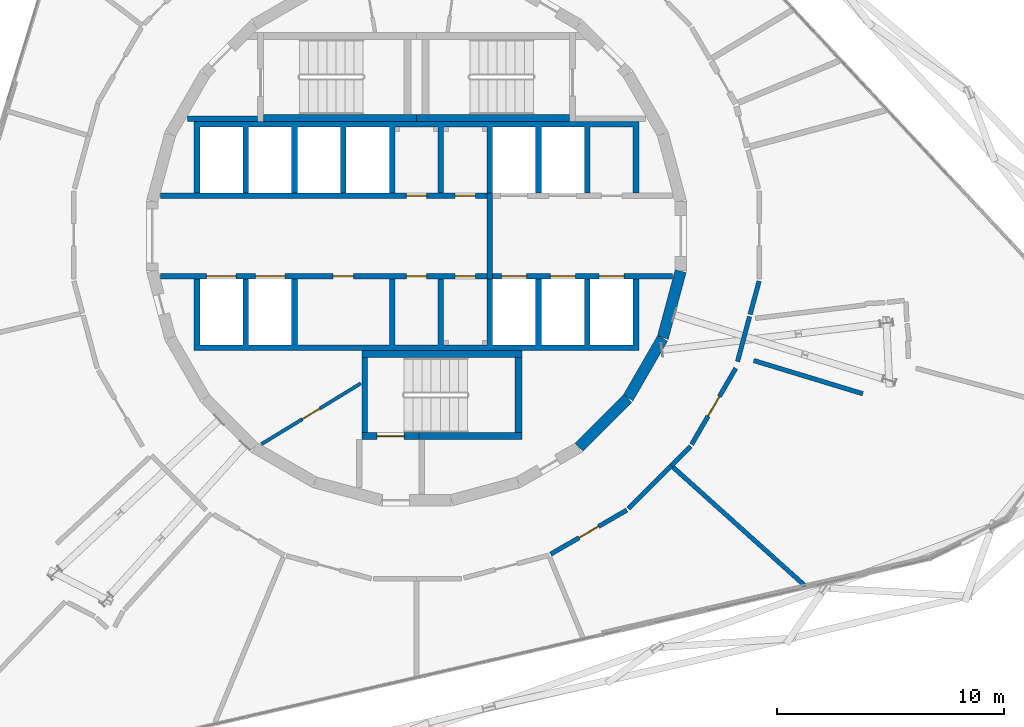
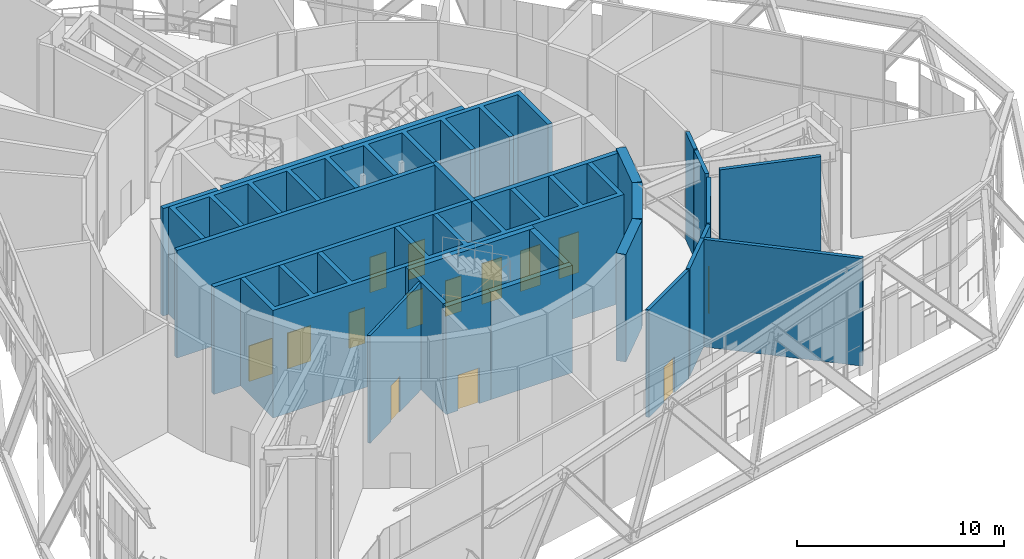
# One storey, part 20 of 25: 26 walls, 14 doors, 14 openings.
"""IFC4 building model written with IfcOpenShell, lengths in metres."""

import ifcopenshell
import ifcopenshell.guid

model = None  # the IFC model being written
_history = None  # IfcOwnerHistory: only IFC2X3 demands one
_inside = {}  # id of a spatial element -> (the spatial element, [elements in it])
_under = {}  # id of a project, library or spatial element -> (it, [spatial elements below it])
_declared = {}  # id of a project -> (the project, [libraries it declares])
_typed = {}  # id of a type object -> (the type object, [elements of that type])
_made_of = {}  # id of a material, layer set ... -> (it, [elements and type objects made of it])


def new_model(schema):
    """Start an empty IFC model of exactly this schema.

    Asked for "IFC4X3", IfcOpenShell would pick the latest addendum, in which some entities
    have other attributes; the version numbers below select the first issue.
    IFC2X3 requires an IfcOwnerHistory on every rooted entity: one is made here for all.
    """
    global model, _history
    if schema == "IFC4X3":
        model = ifcopenshell.file(schema_version=(4, 3, 0, 0))
    else:
        model = ifcopenshell.file(schema=schema)
    _inside.clear()
    _under.clear()
    _declared.clear()
    _typed.clear()
    _made_of.clear()
    _history = None
    if model.schema == "IFC2X3":
        org = make("IfcOrganization", Name="unknown")
        user = make(
            "IfcPersonAndOrganization",
            ThePerson=make("IfcPerson", FamilyName="unknown"),
            TheOrganization=org,
        )
        app = make(
            "IfcApplication",
            ApplicationDeveloper=org,
            Version="unknown",
            ApplicationFullName="unknown",
            ApplicationIdentifier="unknown",
        )
        _history = make(
            "IfcOwnerHistory",
            OwningUser=user,
            OwningApplication=app,
            ChangeAction="ADDED",
            CreationDate=0,
        )
    return model


def make(cls, **values):
    """One entity of the class cls with the attributes given. An attribute that is None is left unset."""
    return model.create_entity(
        cls, **{name: value for name, value in values.items() if value is not None}
    )


def rooted(cls, **values):
    """An entity with a GlobalId (a new one), such as an element, a storey or a relation."""
    return make(cls, GlobalId=ifcopenshell.guid.new(), OwnerHistory=_history, **values)


def si_unit(unit_type, name, prefix=None):
    """IfcSIUnit, for example si_unit("LENGTHUNIT", "METRE", prefix="MILLI")."""
    return make("IfcSIUnit", UnitType=unit_type, Prefix=prefix, Name=name)


def assignment(units):
    """IfcUnitAssignment: the units of a project."""
    return None if units is None else make("IfcUnitAssignment", Units=units)


def point(xyz):
    """IfcCartesianPoint."""
    return None if xyz is None else make("IfcCartesianPoint", Coordinates=xyz)


def direction(xyz):
    """IfcDirection."""
    return None if xyz is None else make("IfcDirection", DirectionRatios=xyz)


def frame(location, z_axis=None, x_axis=None):
    """IfcAxis2Placement3D, a coordinate frame: its origin and axes. An axis left out is left unset."""
    return make(
        "IfcAxis2Placement3D",
        Location=point(location),
        Axis=direction(z_axis),
        RefDirection=direction(x_axis),
    )


def frame_2d(location, x_axis=None):
    """IfcAxis2Placement2D, a coordinate frame in the plane: its origin and x axis."""
    return make(
        "IfcAxis2Placement2D", Location=point(location), RefDirection=direction(x_axis)
    )


def origin():
    """The frame at (0, 0, 0) with its axes left unset."""
    return frame((0.0, 0.0, 0.0))


def place(relative_to, where):
    """IfcLocalPlacement: puts the frame where relative to a parent placement (None: the world)."""
    return make(
        "IfcLocalPlacement", PlacementRelTo=relative_to, RelativePlacement=where
    )


def context(
    kind, dimensions, precision=None, world=None, true_north=None, identifier=None
):
    """IfcGeometricRepresentationContext, for example the 3D "Model" context."""
    return make(
        "IfcGeometricRepresentationContext",
        ContextIdentifier=identifier,
        ContextType=kind,
        CoordinateSpaceDimension=dimensions,
        Precision=precision,
        WorldCoordinateSystem=world,
        TrueNorth=true_north,
    )


def subcontext(parent, identifier, kind, view, scale=None):
    """IfcGeometricRepresentationSubContext, for example "Body" below "Model"."""
    return make(
        "IfcGeometricRepresentationSubContext",
        ContextIdentifier=identifier,
        ContextType=kind,
        ParentContext=parent,
        TargetScale=scale,
        TargetView=view,
    )


def project(units=None, contexts=None):
    """IfcProject with its units and contexts."""
    return rooted(
        "IfcProject",
        Name="project",
        RepresentationContexts=contexts,
        UnitsInContext=assignment(units),
    )


def spatial(cls, under=None, at=None, **own):
    """A site, building, storey or space (cls), placed at a placement, below another one or the project."""
    s = rooted(cls, ObjectPlacement=at, **own)
    if under is not None:
        _under.setdefault(under.id(), (under, []))[1].append(s)
    return s


def polyline(points):
    """IfcPolyline through the points."""
    return make("IfcPolyline", Points=[point(p) for p in points])


def profile(cls, at=None, kind="AREA", **sizes):
    """A parametric profile (cls). Its sizes go by their IFC names, for example OverallWidth=200.0."""
    return make(cls, ProfileType=kind, Position=at, **sizes)


def rectangle(**sizes):
    """IfcRectangleProfileDef."""
    return profile("IfcRectangleProfileDef", **sizes)


def outline(outer, holes=None, kind="AREA"):
    """IfcArbitraryClosedProfileDef: a profile drawn as a closed curve; with holes, ...WithVoids."""
    if holes is None:
        return make("IfcArbitraryClosedProfileDef", ProfileType=kind, OuterCurve=outer)
    return make(
        "IfcArbitraryProfileDefWithVoids",
        ProfileType=kind,
        OuterCurve=outer,
        InnerCurves=holes,
    )


def extrude(swept, where, along, depth):
    """IfcExtrudedAreaSolid: the profile swept, set in the frame where, extruded along a direction by depth."""
    return make(
        "IfcExtrudedAreaSolid",
        SweptArea=swept,
        Position=where,
        ExtrudedDirection=direction(along),
        Depth=depth,
    )


def shape(context_of_items, identifier, shape_type, items):
    """IfcShapeRepresentation: the items that make up one representation, for example the "Body"."""
    return make(
        "IfcShapeRepresentation",
        ContextOfItems=context_of_items,
        RepresentationIdentifier=identifier,
        RepresentationType=shape_type,
        Items=items,
    )


def material(Name=None, Category=None):
    """IfcMaterial."""
    return make("IfcMaterial", Name=Name, Category=Category)


def layer(
    of_material, thickness, ventilated=None, Name=None, Category=None, Priority=None
):
    """IfcMaterialLayer: one layer of a wall or slab, of a material (None: an air gap)."""
    return make(
        "IfcMaterialLayer",
        Material=of_material,
        LayerThickness=thickness,
        IsVentilated=ventilated,
        Name=Name,
        Category=Category,
        Priority=Priority,
    )


def layer_set(layers, Name=None):
    """IfcMaterialLayerSet."""
    return make("IfcMaterialLayerSet", MaterialLayers=layers, LayerSetName=Name)


def made_of(thing, what):
    """Note that an element or type object is made of a material, layer set ...; save() writes the relation."""
    if what is not None:
        _made_of.setdefault(what.id(), (what, []))[1].append(thing)
    return thing


def type_object(cls, material=None, **own):
    """A type object (cls), such as IfcWallType, which elements share."""
    return made_of(rooted(cls, **own), material)


def element(
    cls,
    number,
    at=None,
    inside=None,
    cuts=None,
    type_object=None,
    material=None,
    context=None,
    identifier="Body",
    shape_type=None,
    held_by="IfcProductDefinitionShape",
    body=None,
    shapes=None,
    **own,
):
    """One element of the class cls, such as IfcWall. Its Tag is "e" and its number.

    at: its placement. inside: the storey or other place that contains it. cuts: it is an
    opening in that element (IfcRelVoidsElement). A single representation is given by context,
    identifier, shape_type and body (its items); several are given by shapes. held_by: the class
    of the entity that holds the representations. save() writes the other relations.
    """
    e = rooted(cls, Tag="e%d" % number, ObjectPlacement=at, **own)
    if body is not None:
        shapes = [shape(context, identifier, shape_type, body)]
    if shapes is not None:
        e.Representation = make(held_by, Representations=shapes)
    if inside is not None:
        _inside.setdefault(inside.id(), (inside, []))[1].append(e)
    if cuts is not None:
        rooted(
            "IfcRelVoidsElement", RelatingBuildingElement=cuts, RelatedOpeningElement=e
        )
    if type_object is not None:
        _typed.setdefault(type_object.id(), (type_object, []))[1].append(e)
    return made_of(e, material)


def fill(opening, filler):
    """IfcRelFillsElement: the door or window that sits in an opening."""
    return rooted(
        "IfcRelFillsElement",
        RelatingOpeningElement=opening,
        RelatedBuildingElement=filler,
    )


def aggregate(whole, parts):
    """IfcRelAggregates: a whole, such as a stair, and the parts it consists of."""
    return rooted("IfcRelAggregates", RelatingObject=whole, RelatedObjects=parts)


def save(model, path):
    """Write the relations noted so far, then the file.

    IfcRelAggregates (storeys below a building ...), IfcRelContainedInSpatialStructure (elements
    in a storey), IfcRelDefinesByType, IfcRelAssociatesMaterial and IfcRelDeclares: one each for
    every whole, place, type object, material and project.
    """
    for whole, parts in _under.values():
        aggregate(whole, parts)
    for where, things in _inside.values():
        rooted(
            "IfcRelContainedInSpatialStructure",
            RelatedElements=things,
            RelatingStructure=where,
        )
    for kind, things in _typed.values():
        rooted("IfcRelDefinesByType", RelatedObjects=things, RelatingType=kind)
    for what, things in _made_of.values():
        rooted("IfcRelAssociatesMaterial", RelatedObjects=things, RelatingMaterial=what)
    for by, libraries in _declared.values():
        rooted("IfcRelDeclares", RelatingContext=by, RelatedDefinitions=libraries)
    model.write(path)


model = new_model("IFC4")

# Units and contexts
model_context = context("Model", 3, precision=1e-05, world=origin(), true_north=direction((0.0, 1.0)))
body_context = subcontext(model_context, "Body", "Model", "MODEL_VIEW")
ifc_project = project(units=[si_unit("LENGTHUNIT", "METRE"), si_unit("AREAUNIT", "SQUARE_METRE"), si_unit("VOLUMEUNIT", "CUBIC_METRE"), si_unit("PLANEANGLEUNIT", "RADIAN"), si_unit("MASSUNIT", "GRAM", prefix="KILO")], contexts=[model_context])

# Site, building, storey
site_placement = place(None, origin())
site = spatial("IfcSite", under=ifc_project, at=site_placement, CompositionType="ELEMENT")
building_placement = place(site_placement, origin())
building = spatial("IfcBuilding", under=site, at=building_placement, Name="Spindle Arch Residences", CompositionType="ELEMENT")
storey_placement = place(building_placement, frame((0.0, 0.0, 144.89990234375)))
storey = spatial("IfcBuildingStorey", under=building, at=storey_placement, Name="L36", CompositionType="ELEMENT", Elevation=144.89990234375)

# Walls
ifc_material_1 = material(Name="Concrete C50/60", Category="concrete")
ifc_layer_1 = layer(ifc_material_1, 0.5)
ifc_layer_set_1 = layer_set([ifc_layer_1], Name="Core outline wall 500")
wall_type_1 = type_object("IfcWallType", Name="Core outline wall 500", PredefinedType="SHEAR", material=ifc_layer_set_1)
wall_1_placement = place(storey_placement, frame((7.163818359375, -9.30810546875, 0.0), z_axis=(0.0, 0.0, 1.0), x_axis=(0.707106781187, 0.707106781187, 0.0)))
element("IfcWall", 1, at=wall_1_placement, inside=storey, type_object=wall_type_1, Name="Core outline wall 3", PredefinedType="SHEAR", context=body_context, shape_type="SweptSolid", body=[
    extrude(rectangle(XDim=3.032470703125, YDim=0.5, at=frame_2d((1.51611328125, 0.0))), origin(), (0.0, 0.0, 1.0), 6.35009765625),
])
for number, where, z_axis, x_axis, name in (
    (2, (9.32861328125, -7.13671875, 0.0), (0.0, 0.0, 1.0), (0.500087131594, 0.865975092491, 0.0), "Core outline wall 4"),
    (3, (10.858154296875, -4.479248046875, 0.0), (0.0, 0.0, 1.0), (0.258734743916, 0.965948410781, 0.0), "Core outline wall 5"),
):
    element("IfcWall", number, at=place(storey_placement, frame(where, z_axis=z_axis, x_axis=x_axis)), inside=storey, type_object=wall_type_1, Name=name, PredefinedType="SHEAR", context=body_context, shape_type="SweptSolid", body=[
        extrude(rectangle(XDim=3.03271484375, YDim=0.5, at=frame_2d((1.516357421875, 0.0))), origin(), (0.0, 0.0, 1.0), 6.35009765625),
    ])
ifc_material_2 = material(Name="Concrete C40/50", Category="concrete")
ifc_layer_2 = layer(ifc_material_2, 0.25)
ifc_layer_set_2 = layer_set([ifc_layer_2], Name="Fire-lift lobby wall 250")
wall_type_2 = type_object("IfcWallType", Name="Fire-lift lobby wall 250", PredefinedType="SHEAR", material=ifc_layer_set_2)
wall_2_placement = place(storey_placement, frame((3.22509765625, -1.89990234375, 0.0), z_axis=(0.0, 0.0, 1.0), x_axis=(0.0, 1.0, 0.0)))
element("IfcWall", 4, at=wall_2_placement, inside=storey, type_object=wall_type_2, Name="Fire-fighting lobby partition", PredefinedType="SHEAR", context=body_context, shape_type="SweptSolid", body=[
    extrude(rectangle(XDim=3.7998046875, YDim=0.25, at=frame_2d((1.89990234375, 0.0))), origin(), (0.0, 0.0, 1.0), 6.35009765625),
])

# Wall, openings, doors
ifc_material_3 = material(Name="Concrete C50/60", Category="concrete")
ifc_layer_3 = layer(ifc_material_3, 0.25)
ifc_layer_set_3 = layer_set([ifc_layer_3], Name="Fire-lift shaft wall 250")
wall_type_3 = type_object("IfcWallType", Name="Fire-lift shaft wall 250", PredefinedType="SHEAR", material=ifc_layer_set_3)
wall_3_placement = place(storey_placement, frame((3.35009765625, -1.77490234375, 0.0), z_axis=(0.0, 0.0, 1.0), x_axis=(1.0, 0.0, 0.0)))
wall_3 = element("IfcWall", 5, at=wall_3_placement, inside=storey, type_object=wall_type_3, Name="Lift shaft front wall SE", PredefinedType="SHEAR", context=body_context, shape_type="SweptSolid", body=[
    extrude(rectangle(XDim=7.929931640625, YDim=0.25, at=frame_2d((3.96484375, 0.0))), origin(), (0.0, 0.0, 1.0), 6.35009765625),
])
opening_1_placement = place(wall_3_placement, frame((0.39990234375, 0.0, 0.0)))
opening_1 = element("IfcOpeningElement", 6, at=opening_1_placement, cuts=wall_3, Name="Opening L36-FLD01", PredefinedType="OPENING", context=body_context, shape_type="SweptSolid", body=[
    extrude(rectangle(XDim=1.10009765625, YDim=2.39990234375, at=frame_2d((0.550048828125, 1.199951171875))), frame((0.0, 0.135009765625, 0.0), z_axis=(0.0, -1.0, 0.0), x_axis=(1.0, 0.0, 0.0)), (0.0, 0.0, 1.0), 0.27001953125),
])
opening_2_placement = place(wall_3_placement, frame((2.550048828125, 0.0, 0.0)))
opening_2 = element("IfcOpeningElement", 7, at=opening_2_placement, cuts=wall_3, Name="Opening L36-FLD02", PredefinedType="OPENING", context=body_context, shape_type="SweptSolid", body=[
    extrude(rectangle(XDim=1.10009765625, YDim=2.39990234375, at=frame_2d((0.550048828125, 1.199951171875))), frame((0.0, 0.135009765625, 0.0), z_axis=(0.0, -1.0, 0.0), x_axis=(1.0, 0.0, 0.0)), (0.0, 0.0, 1.0), 0.27001953125),
])
opening_3_placement = place(wall_3_placement, frame((4.699951171875, 0.0, 0.0)))
opening_3 = element("IfcOpeningElement", 8, at=opening_3_placement, cuts=wall_3, Name="Opening L36-FLD03", PredefinedType="OPENING", context=body_context, shape_type="SweptSolid", body=[
    extrude(rectangle(XDim=1.10009765625, YDim=2.39990234375, at=frame_2d((0.550048828125, 1.199951171875))), frame((0.0, 0.135009765625, 0.0), z_axis=(0.0, -1.0, 0.0), x_axis=(1.0, 0.0, 0.0)), (0.0, 0.0, 1.0), 0.27001953125),
])
ifc_material_4 = material(Name="Steel, fire-resisting landing door", Category="steel")
door_type_1 = type_object("IfcDoorType", Name="Fire-fighting lift landing door 1100x2400", OperationType="DOUBLE_DOOR_SLIDING", PredefinedType="DOOR", material=ifc_material_4)
door_1_placement = place(opening_1_placement, origin())
door_1 = element("IfcDoor", 9, at=door_1_placement, inside=storey, type_object=door_type_1, Name="Fire-fighting lift landing door L36-FLD01", OperationType="DOUBLE_DOOR_SLIDING", OverallHeight=2.39990234375, OverallWidth=1.10009765625, PredefinedType="DOOR", context=body_context, shape_type="SweptSolid", body=[
    extrude(rectangle(XDim=1.10009765625, YDim=2.39990234375, at=frame_2d((0.550048828125, 1.199951171875))), frame((0.0, 0.02490234375, 0.0), z_axis=(0.0, -1.0, 0.0), x_axis=(1.0, 0.0, 0.0)), (0.0, 0.0, 1.0), 0.050048828125),
])
fill(opening_1, door_1)
door_2_placement = place(opening_2_placement, origin())
door_2 = element("IfcDoor", 10, at=door_2_placement, inside=storey, type_object=door_type_1, Name="Fire-fighting lift landing door L36-FLD02", OperationType="DOUBLE_DOOR_SLIDING", OverallHeight=2.39990234375, OverallWidth=1.10009765625, PredefinedType="DOOR", context=body_context, shape_type="SweptSolid", body=[
    extrude(rectangle(XDim=1.10009765625, YDim=2.39990234375, at=frame_2d((0.550048828125, 1.199951171875))), frame((0.0, 0.02490234375, 0.0), z_axis=(0.0, -1.0, 0.0), x_axis=(1.0, 0.0, 0.0)), (0.0, 0.0, 1.0), 0.050048828125),
])
fill(opening_2, door_2)
door_3_placement = place(opening_3_placement, origin())
door_3 = element("IfcDoor", 11, at=door_3_placement, inside=storey, type_object=door_type_1, Name="Fire-fighting lift landing door L36-FLD03", OperationType="DOUBLE_DOOR_SLIDING", OverallHeight=2.39990234375, OverallWidth=1.10009765625, PredefinedType="DOOR", context=body_context, shape_type="SweptSolid", body=[
    extrude(rectangle(XDim=1.10009765625, YDim=2.39990234375, at=frame_2d((0.550048828125, 1.199951171875))), frame((0.0, 0.02490234375, 0.0), z_axis=(0.0, -1.0, 0.0), x_axis=(1.0, 0.0, 0.0)), (0.0, 0.0, 1.0), 0.050048828125),
])
fill(opening_3, door_3)

ifc_material_5 = material(Name="Concrete C50/60", Category="concrete")
ifc_layer_4 = layer(ifc_material_5, 0.25)
ifc_layer_set_4 = layer_set([ifc_layer_4], Name="Lift shaft wall 250")
wall_type_4 = type_object("IfcWallType", Name="Lift shaft wall 250", PredefinedType="SHEAR", material=ifc_layer_set_4)
wall_4_placement = place(storey_placement, frame((-11.280029296875, 1.77490234375, 0.0), z_axis=(0.0, 0.0, 1.0), x_axis=(1.0, 0.0, 0.0)))
wall_4 = element("IfcWall", 12, at=wall_4_placement, inside=storey, type_object=wall_type_4, Name="Lift shaft front wall NW", PredefinedType="SHEAR", context=body_context, shape_type="SweptSolid", body=[
    extrude(rectangle(XDim=14.380126953125, YDim=0.25, at=frame_2d((7.18994140625, 0.0))), origin(), (0.0, 0.0, 1.0), 6.35009765625),
])
opening_4_placement = place(wall_4_placement, frame((10.830078125, 0.0, 0.0)))
opening_4 = element("IfcOpeningElement", 13, at=opening_4_placement, cuts=wall_4, Name="Opening L36-WD04", PredefinedType="OPENING", context=body_context, shape_type="SweptSolid", body=[
    extrude(rectangle(XDim=0.89990234375, YDim=2.10009765625, at=frame_2d((0.449951171875, 1.050048828125))), frame((0.0, 0.135009765625, 0.0), z_axis=(0.0, -1.0, 0.0), x_axis=(1.0, 0.0, 0.0)), (0.0, 0.0, 1.0), 0.27001953125),
])
opening_5_placement = place(wall_4_placement, frame((12.97998046875, 0.0, 0.0)))
opening_5 = element("IfcOpeningElement", 14, at=opening_5_placement, cuts=wall_4, Name="Opening L36-WD05", PredefinedType="OPENING", context=body_context, shape_type="SweptSolid", body=[
    extrude(rectangle(XDim=0.89990234375, YDim=2.10009765625, at=frame_2d((0.449951171875, 1.050048828125))), frame((0.0, 0.135009765625, 0.0), z_axis=(0.0, -1.0, 0.0), x_axis=(1.0, 0.0, 0.0)), (0.0, 0.0, 1.0), 0.27001953125),
])
ifc_material_6 = material(Name="Steel, fire-resisting door", Category="steel")
door_type_2 = type_object("IfcDoorType", Name="Service room door 900x2100", OperationType="SINGLE_SWING_LEFT", PredefinedType="DOOR", material=ifc_material_6)
door_4_placement = place(opening_4_placement, origin())
door_4 = element("IfcDoor", 15, at=door_4_placement, inside=storey, type_object=door_type_2, Name="Service room door L36-WD04", OperationType="SINGLE_SWING_LEFT", OverallHeight=2.10009765625, OverallWidth=0.89990234375, PredefinedType="DOOR", context=body_context, shape_type="SweptSolid", body=[
    extrude(rectangle(XDim=0.89990234375, YDim=2.10009765625, at=frame_2d((0.449951171875, 1.050048828125))), frame((0.0, 0.02490234375, 0.0), z_axis=(0.0, -1.0, 0.0), x_axis=(1.0, 0.0, 0.0)), (0.0, 0.0, 1.0), 0.050048828125),
])
fill(opening_4, door_4)
door_5_placement = place(opening_5_placement, origin())
door_5 = element("IfcDoor", 16, at=door_5_placement, inside=storey, type_object=door_type_2, Name="Service room door L36-WD05", OperationType="SINGLE_SWING_RIGHT", OverallHeight=2.10009765625, OverallWidth=0.89990234375, PredefinedType="DOOR", context=body_context, shape_type="SweptSolid", body=[
    extrude(rectangle(XDim=0.89990234375, YDim=2.10009765625, at=frame_2d((0.449951171875, 1.050048828125))), frame((0.0, 0.02490234375, 0.0), z_axis=(0.0, -1.0, 0.0), x_axis=(1.0, 0.0, 0.0)), (0.0, 0.0, 1.0), 0.050048828125),
])
fill(opening_5, door_5)

wall_5_placement = place(storey_placement, frame((-11.280029296875, -1.77490234375, 0.0), z_axis=(0.0, 0.0, 1.0), x_axis=(1.0, 0.0, 0.0)))
wall_5 = element("IfcWall", 17, at=wall_5_placement, inside=storey, type_object=wall_type_4, Name="Lift shaft front wall SW", PredefinedType="SHEAR", context=body_context, shape_type="SweptSolid", body=[
    extrude(rectangle(XDim=14.380126953125, YDim=0.25, at=frame_2d((7.18994140625, 0.0))), origin(), (0.0, 0.0, 1.0), 6.35009765625),
])
opening_6_placement = place(wall_5_placement, frame((2.030029296875, 0.0, 0.0)))
opening_6 = element("IfcOpeningElement", 18, at=opening_6_placement, cuts=wall_5, Name="Opening L36-XLD01", PredefinedType="OPENING", context=body_context, shape_type="SweptSolid", body=[
    extrude(rectangle(XDim=1.300048828125, YDim=2.10009765625, at=frame_2d((0.64990234375, 1.050048828125))), frame((0.0, 0.135009765625, 0.0), z_axis=(0.0, -1.0, 0.0), x_axis=(1.0, 0.0, 0.0)), (0.0, 0.0, 1.0), 0.27001953125),
])
opening_7_placement = place(wall_5_placement, frame((4.179931640625, 0.0, 0.0)))
opening_7 = element("IfcOpeningElement", 19, at=opening_7_placement, cuts=wall_5, Name="Opening L36-XLD02", PredefinedType="OPENING", context=body_context, shape_type="SweptSolid", body=[
    extrude(rectangle(XDim=1.300048828125, YDim=2.10009765625, at=frame_2d((0.64990234375, 1.050048828125))), frame((0.0, 0.135009765625, 0.0), z_axis=(0.0, -1.0, 0.0), x_axis=(1.0, 0.0, 0.0)), (0.0, 0.0, 1.0), 0.27001953125),
])
opening_8_placement = place(wall_5_placement, frame((7.60498046875, 0.0, 0.0)))
opening_8 = element("IfcOpeningElement", 20, at=opening_8_placement, cuts=wall_5, Name="Opening L36-WD02", PredefinedType="OPENING", context=body_context, shape_type="SweptSolid", body=[
    extrude(rectangle(XDim=0.89990234375, YDim=2.10009765625, at=frame_2d((0.449951171875, 1.050048828125))), frame((0.0, 0.135009765625, 0.0), z_axis=(0.0, -1.0, 0.0), x_axis=(1.0, 0.0, 0.0)), (0.0, 0.0, 1.0), 0.27001953125),
])
opening_9_placement = place(wall_5_placement, frame((10.830078125, 0.0, 0.0)))
opening_9 = element("IfcOpeningElement", 21, at=opening_9_placement, cuts=wall_5, Name="Opening L36-WD03", PredefinedType="OPENING", context=body_context, shape_type="SweptSolid", body=[
    extrude(rectangle(XDim=0.89990234375, YDim=2.10009765625, at=frame_2d((0.449951171875, 1.050048828125))), frame((0.0, 0.135009765625, 0.0), z_axis=(0.0, -1.0, 0.0), x_axis=(1.0, 0.0, 0.0)), (0.0, 0.0, 1.0), 0.27001953125),
])
opening_10_placement = place(wall_5_placement, frame((12.97998046875, 0.0, 0.0)))
opening_10 = element("IfcOpeningElement", 22, at=opening_10_placement, cuts=wall_5, Name="Opening L36-WD06", PredefinedType="OPENING", context=body_context, shape_type="SweptSolid", body=[
    extrude(rectangle(XDim=0.89990234375, YDim=2.10009765625, at=frame_2d((0.449951171875, 1.050048828125))), frame((0.0, 0.135009765625, 0.0), z_axis=(0.0, -1.0, 0.0), x_axis=(1.0, 0.0, 0.0)), (0.0, 0.0, 1.0), 0.27001953125),
])
ifc_material_7 = material(Name="Steel, fire-resisting landing door", Category="steel")
door_type_3 = type_object("IfcDoorType", Name="Express shuttle landing door 1300x2100", OperationType="DOUBLE_DOOR_SLIDING", PredefinedType="DOOR", material=ifc_material_7)
door_6_placement = place(opening_6_placement, origin())
door_6 = element("IfcDoor", 23, at=door_6_placement, inside=storey, type_object=door_type_3, Name="Express shuttle landing door L36-XLD01", OperationType="DOUBLE_DOOR_SLIDING", OverallHeight=2.10009765625, OverallWidth=1.300048828125, PredefinedType="DOOR", context=body_context, shape_type="SweptSolid", body=[
    extrude(rectangle(XDim=1.300048828125, YDim=2.10009765625, at=frame_2d((0.64990234375, 1.050048828125))), frame((0.0, 0.02490234375, 0.0), z_axis=(0.0, -1.0, 0.0), x_axis=(1.0, 0.0, 0.0)), (0.0, 0.0, 1.0), 0.050048828125),
])
fill(opening_6, door_6)
door_7_placement = place(opening_7_placement, origin())
door_7 = element("IfcDoor", 24, at=door_7_placement, inside=storey, type_object=door_type_3, Name="Express shuttle landing door L36-XLD02", OperationType="DOUBLE_DOOR_SLIDING", OverallHeight=2.10009765625, OverallWidth=1.300048828125, PredefinedType="DOOR", context=body_context, shape_type="SweptSolid", body=[
    extrude(rectangle(XDim=1.300048828125, YDim=2.10009765625, at=frame_2d((0.64990234375, 1.050048828125))), frame((0.0, 0.02490234375, 0.0), z_axis=(0.0, -1.0, 0.0), x_axis=(1.0, 0.0, 0.0)), (0.0, 0.0, 1.0), 0.050048828125),
])
fill(opening_7, door_7)
door_8_placement = place(opening_8_placement, origin())
door_8 = element("IfcDoor", 25, at=door_8_placement, inside=storey, type_object=door_type_2, Name="Service room door L36-WD02", OperationType="SINGLE_SWING_LEFT", OverallHeight=2.10009765625, OverallWidth=0.89990234375, PredefinedType="DOOR", context=body_context, shape_type="SweptSolid", body=[
    extrude(rectangle(XDim=0.89990234375, YDim=2.10009765625, at=frame_2d((0.449951171875, 1.050048828125))), frame((0.0, 0.02490234375, 0.0), z_axis=(0.0, -1.0, 0.0), x_axis=(1.0, 0.0, 0.0)), (0.0, 0.0, 1.0), 0.050048828125),
])
fill(opening_8, door_8)
door_9_placement = place(opening_9_placement, origin())
door_9 = element("IfcDoor", 26, at=door_9_placement, inside=storey, type_object=door_type_2, Name="Service room door L36-WD03", OperationType="SINGLE_SWING_RIGHT", OverallHeight=2.10009765625, OverallWidth=0.89990234375, PredefinedType="DOOR", context=body_context, shape_type="SweptSolid", body=[
    extrude(rectangle(XDim=0.89990234375, YDim=2.10009765625, at=frame_2d((0.449951171875, 1.050048828125))), frame((0.0, 0.02490234375, 0.0), z_axis=(0.0, -1.0, 0.0), x_axis=(1.0, 0.0, 0.0)), (0.0, 0.0, 1.0), 0.050048828125),
])
fill(opening_9, door_9)
door_10_placement = place(opening_10_placement, origin())
door_10 = element("IfcDoor", 27, at=door_10_placement, inside=storey, type_object=door_type_2, Name="Service room door L36-WD06", OperationType="SINGLE_SWING_LEFT", OverallHeight=2.10009765625, OverallWidth=0.89990234375, PredefinedType="DOOR", context=body_context, shape_type="SweptSolid", body=[
    extrude(rectangle(XDim=0.89990234375, YDim=2.10009765625, at=frame_2d((0.449951171875, 1.050048828125))), frame((0.0, 0.02490234375, 0.0), z_axis=(0.0, -1.0, 0.0), x_axis=(1.0, 0.0, 0.0)), (0.0, 0.0, 1.0), 0.050048828125),
])
fill(opening_10, door_10)

# Walls
ifc_material_8 = material(Name="Concrete C50/60", Category="concrete")
wall_type_5 = type_object("IfcWallType", Name="Lift shaft wall profile", PredefinedType="SHEAR", material=ifc_material_8)
wall_6_placement = place(storey_placement, origin())
element("IfcWall", 28, at=wall_6_placement, inside=storey, type_object=wall_type_5, Name="Lift shaft walls N", PredefinedType="SHEAR", context=body_context, shape_type="SweptSolid", body=[
    extrude(outline(polyline([(-9.550048828125, 4.800048828125), (-7.64990234375, 4.800048828125), (-7.64990234375, 1.89990234375), (-7.39990234375, 1.89990234375), (-7.39990234375, 4.800048828125), (-5.5, 4.800048828125), (-5.5, 1.89990234375), (-5.25, 1.89990234375), (-5.25, 4.800048828125), (-3.35009765625, 4.800048828125), (-3.35009765625, 1.89990234375), (-3.10009765625, 1.89990234375), (-3.10009765625, 4.800048828125), (-1.199951171875, 4.800048828125), (-1.199951171875, 1.89990234375), (-0.949951171875, 1.89990234375), (-0.949951171875, 4.800048828125), (0.949951171875, 4.800048828125), (0.949951171875, 1.89990234375), (1.199951171875, 1.89990234375), (1.199951171875, 4.800048828125), (3.10009765625, 4.800048828125), (3.10009765625, 1.89990234375), (3.35009765625, 1.89990234375), (3.35009765625, 4.800048828125), (5.25, 4.800048828125), (5.25, 1.89990234375), (5.5, 1.89990234375), (5.5, 4.800048828125), (7.39990234375, 4.800048828125), (7.39990234375, 1.89990234375), (7.64990234375, 1.89990234375), (7.64990234375, 4.800048828125), (9.550048828125, 4.800048828125), (9.550048828125, 1.89990234375), (9.800048828125, 1.89990234375), (9.800048828125, 4.800048828125), (9.800048828125, 5.050048828125), (-9.800048828125, 5.050048828125), (-9.800048828125, 4.800048828125), (-9.800048828125, 1.89990234375), (-9.550048828125, 1.89990234375), (-9.550048828125, 4.800048828125)])), origin(), (0.0, 0.0, 1.0), 6.35009765625),
])
wall_7_placement = place(storey_placement, origin())
element("IfcWall", 29, at=wall_7_placement, inside=storey, type_object=wall_type_5, Name="Lift shaft walls S", PredefinedType="SHEAR", context=body_context, shape_type="SweptSolid", body=[
    extrude(outline(polyline([(9.800048828125, -5.050048828125), (9.800048828125, -4.800048828125), (9.800048828125, -1.89990234375), (9.550048828125, -1.89990234375), (9.550048828125, -4.800048828125), (7.64990234375, -4.800048828125), (7.64990234375, -1.89990234375), (7.39990234375, -1.89990234375), (7.39990234375, -4.800048828125), (5.5, -4.800048828125), (5.5, -1.89990234375), (5.25, -1.89990234375), (5.25, -4.800048828125), (3.35009765625, -4.800048828125), (3.35009765625, -1.89990234375), (3.10009765625, -1.89990234375), (3.10009765625, -4.800048828125), (1.199951171875, -4.800048828125), (1.199951171875, -1.89990234375), (0.949951171875, -1.89990234375), (0.949951171875, -4.800048828125), (-0.949951171875, -4.800048828125), (-0.949951171875, -1.89990234375), (-1.199951171875, -1.89990234375), (-1.199951171875, -4.800048828125), (-5.25, -4.800048828125), (-5.25, -1.89990234375), (-5.5, -1.89990234375), (-5.5, -4.800048828125), (-7.39990234375, -4.800048828125), (-7.39990234375, -1.89990234375), (-7.64990234375, -1.89990234375), (-7.64990234375, -4.800048828125), (-9.550048828125, -4.800048828125), (-9.550048828125, -1.89990234375), (-9.800048828125, -1.89990234375), (-9.800048828125, -4.800048828125), (-9.800048828125, -5.050048828125), (9.800048828125, -5.050048828125)])), origin(), (0.0, 0.0, 1.0), 6.35009765625),
])

# Wall, opening, door
ifc_material_9 = material(Name="Gypsum board partition on steel studs", Category="steel")
ifc_layer_5 = layer(ifc_material_9, 0.199951171875)
ifc_layer_set_5 = layer_set([ifc_layer_5], Name="Partition EI 60 200 amenity")
wall_type_6 = type_object("IfcWallType", Name="Partition EI 60 200 amenity", PredefinedType="PARTITIONING", material=ifc_layer_set_5)
wall_8_placement = place(storey_placement, frame((5.91650390625, -14.02001953125, 0.0), z_axis=(0.0, 0.0, 1.0), x_axis=(0.865601686425, 0.500733182901, 0.0)))
wall_8 = element("IfcWall", 30, at=wall_8_placement, inside=storey, type_object=wall_type_6, Name="L36-W044", PredefinedType="PARTITIONING", context=body_context, shape_type="SweptSolid", body=[
    extrude(rectangle(XDim=3.874267578125, YDim=0.199951171875, at=frame_2d((1.93701171875, 0.0))), origin(), (0.0, 0.0, 1.0), 6.35009765625),
])
opening_11_placement = place(wall_8_placement, frame((1.43701171875, 0.0, 0.0)))
opening_11 = element("IfcOpeningElement", 31, at=opening_11_placement, cuts=wall_8, Name="Opening L36-D04", PredefinedType="OPENING", context=body_context, shape_type="SweptSolid", body=[
    extrude(rectangle(XDim=1.0, YDim=2.10009765625, at=frame_2d((0.5, 1.050048828125))), frame((0.0, 0.10986328125, 0.0), z_axis=(0.0, -1.0, 0.0), x_axis=(1.0, 0.0, 0.0)), (0.0, 0.0, 1.0), 0.219970703125),
])
ifc_material_10 = material(Name="Timber door leaf", Category="wood")
door_type_4 = type_object("IfcDoorType", Name="Door 1000x2100 EI 30", OperationType="SINGLE_SWING_LEFT", PredefinedType="DOOR", material=ifc_material_10)
door_11_placement = place(opening_11_placement, origin())
door_11 = element("IfcDoor", 32, at=door_11_placement, inside=storey, type_object=door_type_4, Name="L36-D04", OperationType="SINGLE_SWING_LEFT", OverallHeight=2.10009765625, OverallWidth=1.0, PredefinedType="DOOR", context=body_context, shape_type="SweptSolid", body=[
    extrude(rectangle(XDim=1.0, YDim=2.10009765625, at=frame_2d((0.5, 1.050048828125))), frame((0.0, 0.02490234375, 0.0), z_axis=(0.0, -1.0, 0.0), x_axis=(1.0, 0.0, 0.0)), (0.0, 0.0, 1.0), 0.050048828125),
])
fill(opening_11, door_11)

# Walls
wall_9_placement = place(storey_placement, frame((9.3408203125, -12.00927734375, 0.0), z_axis=(0.0, 0.0, 1.0), x_axis=(0.707106781187, 0.707106781187, 0.0)))
element("IfcWall", 33, at=wall_9_placement, inside=storey, type_object=wall_type_6, Name="L36-W046", PredefinedType="PARTITIONING", context=body_context, shape_type="SweptSolid", body=[
    extrude(rectangle(XDim=2.671630859375, YDim=0.199951171875, at=frame_2d((1.3359375, 0.0))), origin(), (0.0, 0.0, 1.0), 6.35009765625),
])
wall_10_placement = place(storey_placement, frame((11.22998046875, -10.1201171875, 0.0), z_axis=(0.0, 0.0, 1.0), x_axis=(0.707106781187, 0.707106781187, 0.0)))
element("IfcWall", 34, at=wall_10_placement, inside=storey, type_object=wall_type_6, Name="L36-W049", PredefinedType="PARTITIONING", context=body_context, shape_type="SweptSolid", body=[
    extrude(rectangle(XDim=1.2021484375, YDim=0.199951171875, at=frame_2d((0.60107421875, 0.0))), origin(), (0.0, 0.0, 1.0), 6.35009765625),
])
wall_11_placement = place(storey_placement, frame((11.304443359375, -10.186767578125, 0.0), z_axis=(0.0, 0.0, 1.0), x_axis=(0.743847874898, -0.668348964995, 0.0)))
element("IfcWall", 35, at=wall_11_placement, inside=storey, type_object=wall_type_6, Name="L36-W050", PredefinedType="PARTITIONING", context=body_context, shape_type="SweptSolid", body=[
    extrude(rectangle(XDim=7.844970703125, YDim=0.199951171875, at=frame_2d((3.92236328125, 0.0))), origin(), (0.0, 0.0, 1.0), 6.35009765625),
])

# Wall, opening, door
wall_12_placement = place(storey_placement, frame((12.130126953125, -9.183349609375, 0.0), z_axis=(0.0, 0.0, 1.0), x_axis=(0.500760497952, 0.865585884642, 0.0)))
wall_12 = element("IfcWall", 36, at=wall_12_placement, inside=storey, type_object=wall_type_6, Name="L36-W051", PredefinedType="PARTITIONING", context=body_context, shape_type="SweptSolid", body=[
    extrude(rectangle(XDim=3.8740234375, YDim=0.199951171875, at=frame_2d((1.93701171875, 0.0))), origin(), (0.0, 0.0, 1.0), 6.35009765625),
])
opening_12_placement = place(wall_12_placement, frame((1.43701171875, 0.0, 0.0)))
opening_12 = element("IfcOpeningElement", 37, at=opening_12_placement, cuts=wall_12, Name="Opening L36-D06", PredefinedType="OPENING", context=body_context, shape_type="SweptSolid", body=[
    extrude(rectangle(XDim=1.0, YDim=2.10009765625, at=frame_2d((0.5, 1.050048828125))), frame((0.0, 0.10986328125, 0.0), z_axis=(0.0, -1.0, 0.0), x_axis=(1.0, 0.0, 0.0)), (0.0, 0.0, 1.0), 0.219970703125),
])
door_12_placement = place(opening_12_placement, origin())
door_12 = element("IfcDoor", 38, at=door_12_placement, inside=storey, type_object=door_type_4, Name="L36-D06", OperationType="SINGLE_SWING_LEFT", OverallHeight=2.10009765625, OverallWidth=1.0, PredefinedType="DOOR", context=body_context, shape_type="SweptSolid", body=[
    extrude(rectangle(XDim=1.0, YDim=2.10009765625, at=frame_2d((0.5, 1.050048828125))), frame((0.0, 0.02490234375, 0.0), z_axis=(0.0, -1.0, 0.0), x_axis=(1.0, 0.0, 0.0)), (0.0, 0.0, 1.0), 0.050048828125),
])
fill(opening_12, door_12)

# Walls
wall_13_placement = place(storey_placement, frame((14.14990234375, -5.530029296875, 0.0), z_axis=(0.0, 0.0, 1.0), x_axis=(0.258589222806, 0.965987377686, 0.0)))
element("IfcWall", 39, at=wall_13_placement, inside=storey, type_object=wall_type_6, Name="L36-W057", PredefinedType="PARTITIONING", context=body_context, shape_type="SweptSolid", body=[
    extrude(rectangle(XDim=2.0498046875, YDim=0.199951171875, at=frame_2d((1.02490234375, 0.0))), origin(), (0.0, 0.0, 1.0), 6.35009765625),
])
wall_14_placement = place(storey_placement, frame((14.7060546875, -3.453369140625, 0.0), z_axis=(0.0, 0.0, 1.0), x_axis=(0.260008136588, 0.96560642547, 0.0)))
element("IfcWall", 40, at=wall_14_placement, inside=storey, type_object=wall_type_6, Name="L36-W060", PredefinedType="PARTITIONING", context=body_context, shape_type="SweptSolid", body=[
    extrude(rectangle(XDim=1.515380859375, YDim=0.199951171875, at=frame_2d((0.7578125, 0.0))), origin(), (0.0, 0.0, 1.0), 6.35009765625),
])
wall_15_placement = place(storey_placement, frame((14.86572265625, -5.489013671875, 0.0), z_axis=(0.0, 0.0, 1.0), x_axis=(0.956637955258, -0.291279629495, 0.0)))
element("IfcWall", 41, at=wall_15_placement, inside=storey, type_object=wall_type_6, Name="L36-W061", PredefinedType="PARTITIONING", context=body_context, shape_type="SweptSolid", body=[
    extrude(rectangle(XDim=5.021484375, YDim=0.199951171875, at=frame_2d((2.5107421875, 0.0))), origin(), (0.0, 0.0, 1.0), 6.35009765625),
])

# Wall, opening, door
ifc_material_11 = material(Name="Concrete C25/30", Category="concrete")
ifc_layer_6 = layer(ifc_material_11, 0.14990234375)
ifc_layer_set_6 = layer_set([ifc_layer_6], Name="Service room partition 150")
wall_type_7 = type_object("IfcWallType", Name="Service room partition 150", PredefinedType="PARTITIONING", material=ifc_layer_set_6)
wall_16_placement = place(storey_placement, frame((-2.451171875, -6.49462890625, 0.0), z_axis=(0.0, 0.0, 1.0), x_axis=(-0.853250115418, -0.521501908471, 0.0)))
wall_16 = element("IfcWall", 42, at=wall_16_placement, inside=storey, type_object=wall_type_7, Name="Core service room partition", PredefinedType="PARTITIONING", context=body_context, shape_type="SweptSolid", body=[
    extrude(rectangle(XDim=5.137451171875, YDim=0.14990234375, at=frame_2d((2.56884765625, 0.0))), origin(), (0.0, 0.0, 1.0), 6.35009765625),
])
opening_13_placement = place(wall_16_placement, frame((2.11865234375, 0.0, 0.0)))
opening_13 = element("IfcOpeningElement", 43, at=opening_13_placement, cuts=wall_16, Name="Opening L36-WD07", PredefinedType="OPENING", context=body_context, shape_type="SweptSolid", body=[
    extrude(rectangle(XDim=0.89990234375, YDim=2.10009765625, at=frame_2d((0.449951171875, 1.050048828125))), frame((0.0, 0.0849609375, 0.0), z_axis=(0.0, -1.0, 0.0), x_axis=(1.0, 0.0, 0.0)), (0.0, 0.0, 1.0), 0.169921875),
])
door_13_placement = place(opening_13_placement, origin())
door_13 = element("IfcDoor", 44, at=door_13_placement, inside=storey, type_object=door_type_2, Name="Service room door L36-WD07", OperationType="SINGLE_SWING_RIGHT", OverallHeight=2.10009765625, OverallWidth=0.89990234375, PredefinedType="DOOR", context=body_context, shape_type="SweptSolid", body=[
    extrude(rectangle(XDim=0.89990234375, YDim=2.10009765625, at=frame_2d((0.449951171875, 1.050048828125))), frame((0.0, 0.02490234375, 0.0), z_axis=(0.0, -1.0, 0.0), x_axis=(1.0, 0.0, 0.0)), (0.0, 0.0, 1.0), 0.050048828125),
])
fill(opening_13, door_13)

# Walls
ifc_material_12 = material(Name="Concrete C40/50", Category="concrete")
ifc_layer_7 = layer(ifc_material_12, 0.25)
ifc_layer_set_7 = layer_set([ifc_layer_7], Name="Stair airlock wall 250")
wall_type_8 = type_object("IfcWallType", Name="Stair airlock wall 250", PredefinedType="SHEAR", material=ifc_layer_set_7)
wall_17_placement = place(storey_placement, frame((-7.0, 5.175048828125, 0.0), z_axis=(0.0, 0.0, 1.0), x_axis=(-1.0, 0.0, 0.0)))
element("IfcWall", 45, at=wall_17_placement, inside=storey, type_object=wall_type_8, Name="Stair ST-2 airlock wall S", PredefinedType="SHEAR", context=body_context, shape_type="SweptSolid", body=[
    extrude(rectangle(XDim=3.10009765625, YDim=0.25, at=frame_2d((1.550048828125, 0.0))), origin(), (0.0, 0.0, 1.0), 6.35009765625),
])
ifc_material_13 = material(Name="Concrete C50/60", Category="concrete")
ifc_layer_8 = layer(ifc_material_13, 0.25)
ifc_layer_set_8 = layer_set([ifc_layer_8], Name="Stair enclosure wall 250")
wall_type_9 = type_object("IfcWallType", Name="Stair enclosure wall 250", PredefinedType="SHEAR", material=ifc_layer_set_8)
wall_18_placement = place(storey_placement, frame((-2.27490234375, -8.669921875, 0.0), z_axis=(0.0, 0.0, 1.0), x_axis=(0.0, 1.0, 0.0)))
element("IfcWall", 46, at=wall_18_placement, inside=storey, type_object=wall_type_9, Name="Stair ST-3 enclosure wall W", PredefinedType="SHEAR", context=body_context, shape_type="SweptSolid", body=[
    extrude(rectangle(XDim=3.31982421875, YDim=0.25, at=frame_2d((1.659912109375, 0.0))), origin(), (0.0, 0.0, 1.0), 6.35009765625),
])
ifc_material_14 = material(Name="Concrete C50/60", Category="concrete")
ifc_layer_9 = layer(ifc_material_14, 0.300048828125)
ifc_layer_set_9 = layer_set([ifc_layer_9], Name="Stair enclosure wall 300")
wall_type_10 = type_object("IfcWallType", Name="Stair enclosure wall 300", PredefinedType="SHEAR", material=ifc_layer_set_9)
for number, where, z_axis, x_axis, name in (
    (47, (0.0, 5.199951171875, 0.0), (0.0, 0.0, 1.0), (1.0, 0.0, 0.0), "Stair ST-1 enclosure wall S"),
    (48, (-6.75, 5.199951171875, 0.0), (0.0, 0.0, 1.0), (1.0, 0.0, 0.0), "Stair ST-2 enclosure wall S"),
):
    element("IfcWall", number, at=place(storey_placement, frame(where, z_axis=z_axis, x_axis=x_axis)), inside=storey, type_object=wall_type_10, Name=name, PredefinedType="SHEAR", context=body_context, shape_type="SweptSolid", body=[
        extrude(rectangle(XDim=6.75, YDim=0.300048828125, at=frame_2d((3.375, 0.0))), origin(), (0.0, 0.0, 1.0), 6.35009765625),
    ])
wall_19_placement = place(storey_placement, frame((-2.39990234375, -5.199951171875, 0.0), z_axis=(0.0, 0.0, 1.0), x_axis=(1.0, 0.0, 0.0)))
element("IfcWall", 49, at=wall_19_placement, inside=storey, type_object=wall_type_10, Name="Stair ST-3 enclosure wall N", PredefinedType="SHEAR", context=body_context, shape_type="SweptSolid", body=[
    extrude(rectangle(XDim=7.0498046875, YDim=0.300048828125, at=frame_2d((3.52490234375, 0.0))), origin(), (0.0, 0.0, 1.0), 6.35009765625),
])
wall_20_placement = place(storey_placement, frame((4.5, -8.669921875, 0.0), z_axis=(0.0, 0.0, 1.0), x_axis=(0.0, 1.0, 0.0)))
element("IfcWall", 50, at=wall_20_placement, inside=storey, type_object=wall_type_10, Name="Stair ST-3 enclosure wall E", PredefinedType="SHEAR", context=body_context, shape_type="SweptSolid", body=[
    extrude(rectangle(XDim=3.31982421875, YDim=0.300048828125, at=frame_2d((1.659912109375, 0.0))), origin(), (0.0, 0.0, 1.0), 6.35009765625),
])
wall_21_placement = place(storey_placement, frame((0.10009765625, -8.820068359375, 0.0), z_axis=(0.0, 0.0, 1.0), x_axis=(1.0, 0.0, 0.0)))
element("IfcWall", 51, at=wall_21_placement, inside=storey, type_object=wall_type_10, Name="Stair ST-3 enclosure wall S", PredefinedType="SHEAR", context=body_context, shape_type="SweptSolid", body=[
    extrude(rectangle(XDim=4.5498046875, YDim=0.300048828125, at=frame_2d((2.27490234375, 0.0))), origin(), (0.0, 0.0, 1.0), 6.35009765625),
])

# Wall, opening, door
wall_22_placement = place(storey_placement, frame((-2.39990234375, -8.820068359375, 0.0), z_axis=(0.0, 0.0, 1.0), x_axis=(1.0, 0.0, 0.0)))
wall_22 = element("IfcWall", 52, at=wall_22_placement, inside=storey, type_object=wall_type_10, Name="Stair ST-3 door wall", PredefinedType="SHEAR", context=body_context, shape_type="SweptSolid", body=[
    extrude(rectangle(XDim=2.5, YDim=0.300048828125, at=frame_2d((1.25, 0.0))), origin(), (0.0, 0.0, 1.0), 6.35009765625),
])
opening_14_placement = place(wall_22_placement, frame((0.64990234375, 0.0, 0.0)))
opening_14 = element("IfcOpeningElement", 53, at=opening_14_placement, cuts=wall_22, Name="Opening L36-SD03", PredefinedType="OPENING", context=body_context, shape_type="SweptSolid", body=[
    extrude(rectangle(XDim=1.199951171875, YDim=2.10009765625, at=frame_2d((0.60009765625, 1.050048828125))), frame((0.0, 0.16015625, 0.0), z_axis=(0.0, -1.0, 0.0), x_axis=(1.0, 0.0, 0.0)), (0.0, 0.0, 1.0), 0.320068359375),
])
ifc_material_15 = material(Name="Steel, fire-resisting door", Category="steel")
door_type_5 = type_object("IfcDoorType", Name="Stair door 1200x2100", OperationType="SINGLE_SWING_RIGHT", PredefinedType="DOOR", material=ifc_material_15)
door_14_placement = place(opening_14_placement, origin())
door_14 = element("IfcDoor", 54, at=door_14_placement, inside=storey, type_object=door_type_5, Name="Stair door L36-SD03", OperationType="SINGLE_SWING_LEFT", OverallHeight=2.10009765625, OverallWidth=1.199951171875, PredefinedType="DOOR", context=body_context, shape_type="SweptSolid", body=[
    extrude(rectangle(XDim=1.199951171875, YDim=2.10009765625, at=frame_2d((0.60009765625, 1.050048828125))), frame((0.0, 0.02490234375, 0.0), z_axis=(0.0, -1.0, 0.0), x_axis=(1.0, 0.0, 0.0)), (0.0, 0.0, 1.0), 0.050048828125),
])
fill(opening_14, door_14)

save(model, "model.ifc")
